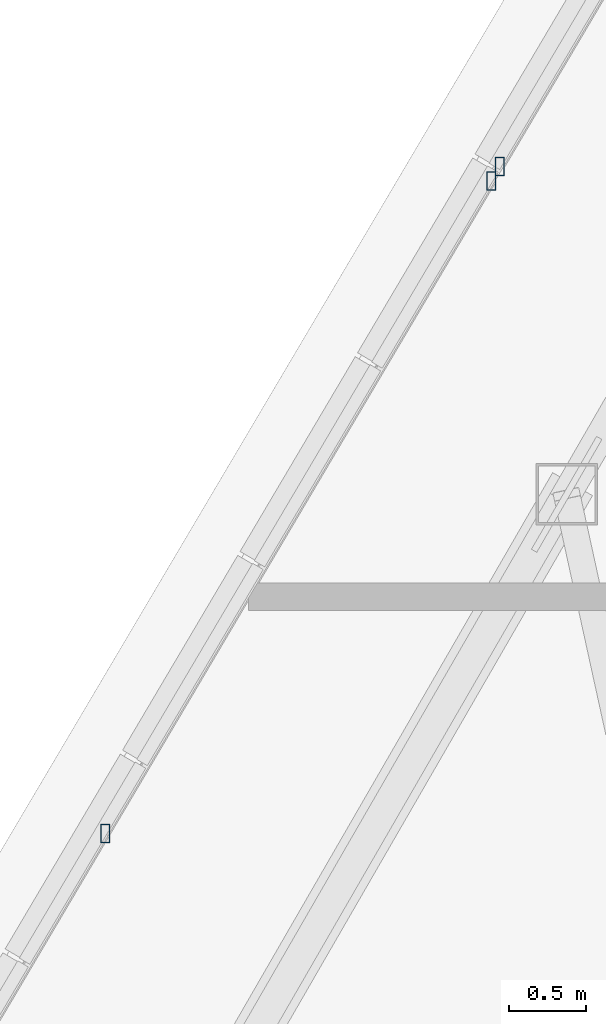
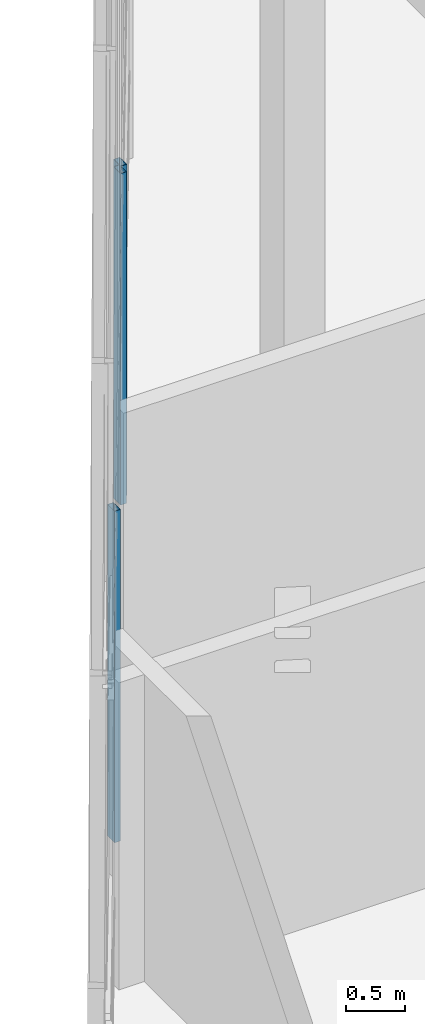
# One storey, part 18 of 50: 3 members, 2 elements without a shape of their own.
"""IFC4 building model written with IfcOpenShell, lengths in metres."""

from ifc_helpers import new_model, si_unit, direction, frame, origin, origin_2d, place, context, subcontext, project, spatial, hollow_rectangle, extrude, source, transform, mapped, material, material_profile, profile_set, type_object, type_shapes, element, aggregate, save


model = new_model("IFC4")

# Units and contexts
model_context = context("Model", 3, precision=1e-05, world=origin(), true_north=direction((0.0, 1.0)))
body_context = subcontext(model_context, "Body", "Model", "MODEL_VIEW")
ifc_project = project(units=[si_unit("LENGTHUNIT", "METRE"), si_unit("AREAUNIT", "SQUARE_METRE"), si_unit("VOLUMEUNIT", "CUBIC_METRE"), si_unit("PLANEANGLEUNIT", "RADIAN"), si_unit("MASSUNIT", "GRAM", prefix="KILO")], contexts=[model_context])

# Site, building, storey
site_placement = place(None, origin())
site = spatial("IfcSite", under=ifc_project, at=site_placement, CompositionType="ELEMENT")
building_placement = place(site_placement, origin())
building = spatial("IfcBuilding", under=site, at=building_placement, Name="Caelisora Broadcast Tower", CompositionType="ELEMENT")
storey_placement = place(building_placement, frame((0.0, 0.0, 303.39990234375)))
storey = spatial("IfcBuildingStorey", under=building, at=storey_placement, Name="L80", CompositionType="ELEMENT", Elevation=303.39990234375)

# Curtain wall, members
ifc_material_1 = material(Name="Unitised Aluminium Insulated Shadow-Box Spandrel Curtain Wall", Category="aluminium")
curtain_wall_type = type_object("IfcCurtainWallType", Name="CW-SP3", PredefinedType="NOTDEFINED", material=ifc_material_1)
curtain_wall_1_placement = place(storey_placement, origin())
curtain_wall_1 = element("IfcCurtainWall", 1, at=curtain_wall_1_placement, inside=storey, type_object=curtain_wall_type, Name="L80 curtain wall CW-SP3", PredefinedType="NOTDEFINED")
ifc_material_2 = material(Name="Aluminium 6063-T6 Anodised Terracotta Bronze", Category="aluminium")
ifc_material_profile = material_profile(ifc_material_2, hollow_rectangle(XDim=0.06005859375, YDim=0.1201171875, WallThickness=0.0029296875, at=origin_2d()), Name="Aluminium 6063-T6 Anodised Terracotta Bronze")
ifc_profile_set = profile_set([ifc_material_profile], Name="Aluminium 6063-T6 Anodised Terracotta Bronze")
member_type = type_object("IfcMemberType", Name="CWM-04", PredefinedType="MULLION", material=ifc_profile_set)
shared_shape = source(origin(), body_context, "Body", "SweptSolid", [
    extrude(hollow_rectangle(XDim=0.06005859375, YDim=0.1201171875, WallThickness=0.0029296875, at=origin_2d()), origin(), (0.0, 0.0, 1.0), 3.400146484375),
])
type_shapes(member_type, [shared_shape])
member_1_placement = place(storey_placement, frame((26.138671875, 33.955078125, 0.0), z_axis=(0.0, 0.0, 1.0), x_axis=(1.0, 0.0, 0.0)))
member_1 = element("IfcMember", 2, at=member_1_placement, type_object=member_type, Name="L80-CW-B10 mullion #2", PredefinedType="MULLION", context=body_context, shape_type="MappedRepresentation", body=[
    mapped(shared_shape, transform((0.0, 0.0, 0.0), scale=1.0)),
])
member_2_placement = place(storey_placement, frame((28.65625, 38.214111328125, 0.0), z_axis=(0.0, 0.0, 1.0), x_axis=(1.0, 0.0, 0.0)))
member_2 = element("IfcMember", 3, at=member_2_placement, type_object=member_type, Name="L80-CW-B10 mullion #3", PredefinedType="MULLION", context=body_context, shape_type="MappedRepresentation", body=[
    mapped(shared_shape, transform((0.0, 0.0, 0.0), scale=1.0)),
])
aggregate(curtain_wall_1, [member_1, member_2])

# Curtain wall, member
curtain_wall_2_placement = place(storey_placement, origin())
curtain_wall_2 = element("IfcCurtainWall", 4, at=curtain_wall_2_placement, inside=storey, type_object=curtain_wall_type, Name="L80 curtain wall CW-SP3", PredefinedType="NOTDEFINED")
member_3_placement = place(storey_placement, frame((28.71240234375, 38.30859375, 0.0), z_axis=(0.0, 0.0, 1.0), x_axis=(1.0, 0.0, 0.0)))
member_3 = element("IfcMember", 5, at=member_3_placement, type_object=member_type, Name="L80-CW-B11 mullion #0", PredefinedType="MULLION", context=body_context, shape_type="MappedRepresentation", body=[
    mapped(shared_shape, transform((0.0, 0.0, 0.0), scale=1.0)),
])
aggregate(curtain_wall_2, [member_3])

save(model, "model.ifc")
